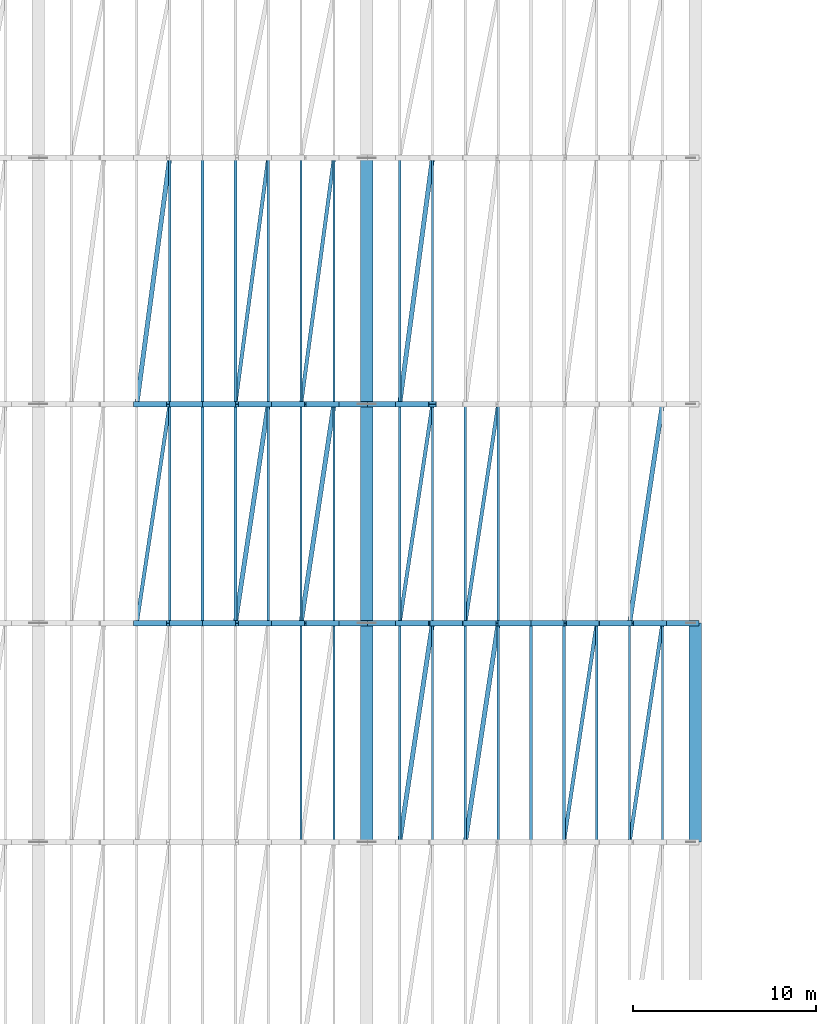
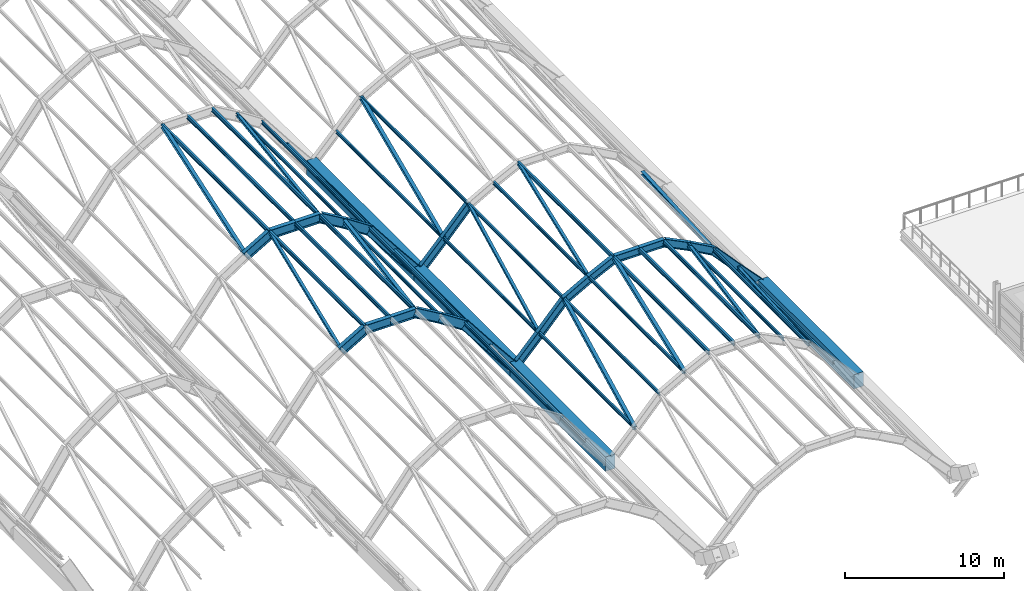
# One storey, part 16 of 86: 43 members, 30 beams.
"""IFC4 building model written with IfcOpenShell, lengths in metres."""

from ifc_helpers import new_model, si_unit, direction, frame, origin, origin_2d, place, context, subcontext, project, spatial, rectangle, i_section, extrude, material, material_profile, profile_set, type_object, element, save


model = new_model("IFC4")

# Units and contexts
model_context = context("Model", 3, precision=1e-05, world=origin(), true_north=direction((0.0, 1.0)))
body_context = subcontext(model_context, "Body", "Model", "MODEL_VIEW")
ifc_project = project(units=[si_unit("LENGTHUNIT", "METRE"), si_unit("AREAUNIT", "SQUARE_METRE"), si_unit("VOLUMEUNIT", "CUBIC_METRE"), si_unit("PLANEANGLEUNIT", "RADIAN"), si_unit("MASSUNIT", "GRAM", prefix="KILO")], contexts=[model_context])

# Site, building, storey
site_placement = place(None, origin())
site = spatial("IfcSite", under=ifc_project, at=site_placement, CompositionType="ELEMENT")
building_placement = place(site_placement, origin())
building = spatial("IfcBuilding", under=site, at=building_placement, Name="Chuanluo Vaults Station", CompositionType="ELEMENT")
storey_placement = place(building_placement, frame((0.0, 0.0, 14.39990234375)))
storey = spatial("IfcBuildingStorey", under=building, at=storey_placement, Name="L03", CompositionType="ELEMENT", Elevation=14.39990234375)

# Beams
ifc_material_1 = material(Name="Concrete C50", Category="concrete")
ifc_material_profile_1 = material_profile(ifc_material_1, rectangle(XDim=0.699951171875, YDim=1.10009765625, at=origin_2d()))
ifc_profile_set_1 = profile_set([ifc_material_profile_1], Name="Concrete C50")
beam_type_1 = type_object("IfcBeamType", Name="BM-VAL-RC", PredefinedType="USERDEFINED", material=ifc_profile_set_1)
for number, where, z_axis, x_axis, name in (
    (1, (108.0, 30.0, -0.7998046875), (0.0, 1.0, 0.0), (-1.0, 0.0, 0.0), "Vault springing valley beam X108-2"),
    (2, (108.0, 42.0, -0.7998046875), (0.0, 1.0, 0.0), (-1.0, 0.0, 0.0), "Vault springing valley beam X108-3"),
):
    element("IfcBeam", number, at=place(storey_placement, frame(where, z_axis=z_axis, x_axis=x_axis)), inside=storey, type_object=beam_type_1, Name=name, ObjectType="GIRDER", PredefinedType="USERDEFINED", context=body_context, shape_type="SweptSolid", body=[
        extrude(rectangle(XDim=0.699951171875, YDim=1.10009765625, at=origin_2d()), origin(), (0.0, 0.0, 1.0), 12.0),
    ])
beam_1_placement = place(storey_placement, frame((108.0, 54.0, -0.7998046875), z_axis=(0.0, 1.0, 0.0), x_axis=(-1.0, 0.0, 0.0)))
element("IfcBeam", 3, at=beam_1_placement, inside=storey, type_object=beam_type_1, Name="Vault springing valley beam X108-4", ObjectType="GIRDER", PredefinedType="USERDEFINED", context=body_context, shape_type="SweptSolid", body=[
    extrude(rectangle(XDim=0.699951171875, YDim=1.10009765625, at=origin_2d()), origin(), (0.0, 0.0, 1.0), 13.5),
])
beam_2_placement = place(storey_placement, frame((126.0, 30.0, -0.7998046875), z_axis=(0.0, 1.0, 0.0), x_axis=(-1.0, 0.0, 0.0)))
element("IfcBeam", 4, at=beam_2_placement, inside=storey, type_object=beam_type_1, Name="Vault springing valley beam X126-2", ObjectType="GIRDER", PredefinedType="USERDEFINED", context=body_context, shape_type="SweptSolid", body=[
    extrude(rectangle(XDim=0.699951171875, YDim=1.10009765625, at=origin_2d()), origin(), (0.0, 0.0, 1.0), 12.0),
])
ifc_material_2 = material(Name="Steel Q355C", Category="steel")
ifc_material_profile_2 = material_profile(ifc_material_2, i_section(OverallWidth=0.300048828125, OverallDepth=0.587890625, WebThickness=0.011962890625, FlangeThickness=0.02001953125, FilletRadius=0.02392578125, at=origin_2d()))
ifc_profile_set_2 = profile_set([ifc_material_profile_2], Name="Steel Q355C")
beam_type_2 = type_object("IfcBeamType", Name="BM-VLT-600", PredefinedType="USERDEFINED", material=ifc_profile_set_2)
beam_3_placement = place(storey_placement, frame((108.0, 42.0, -0.743896484375), z_axis=(0.684521510403, 0.0, 0.728992662374), x_axis=(0.0, 1.0, 0.0)))
element("IfcBeam", 5, at=beam_3_placement, inside=storey, type_object=beam_type_2, Name="Vault V7 arch rib 3 chord 1", ObjectType="GIRDER", PredefinedType="USERDEFINED", context=body_context, shape_type="SweptSolid", body=[
    extrude(i_section(OverallWidth=0.300048828125, OverallDepth=0.587890625, WebThickness=0.011962890625, FlangeThickness=0.02001953125, FilletRadius=0.02392578125, at=origin_2d()), origin(), (0.0, 0.0, 1.0), 2.629638671875),
])
beam_4_placement = place(storey_placement, frame((109.800048828125, 42.0, 1.173095703125), z_axis=(0.674369120381, 0.0, 0.738394399679), x_axis=(0.0, 1.0, 0.0)))
element("IfcBeam", 6, at=beam_4_placement, inside=storey, type_object=beam_type_2, Name="Vault V7 arch rib 3 chord 2", ObjectType="GIRDER", PredefinedType="USERDEFINED", context=body_context, shape_type="SweptSolid", body=[
    extrude(i_section(OverallWidth=0.300048828125, OverallDepth=0.587890625, WebThickness=0.011962890625, FlangeThickness=0.02001953125, FilletRadius=0.02392578125, at=origin_2d()), origin(), (0.0, 0.0, 1.0), 2.669189453125),
])
beam_5_placement = place(storey_placement, frame((111.60009765625, 42.0, 3.14404296875), z_axis=(0.873681685546, 0.0, 0.486498008569), x_axis=(0.0, 1.0, 0.0)))
element("IfcBeam", 7, at=beam_5_placement, inside=storey, type_object=beam_type_2, Name="Vault V7 arch rib 3 chord 3", ObjectType="GIRDER", PredefinedType="USERDEFINED", context=body_context, shape_type="SweptSolid", body=[
    extrude(i_section(OverallWidth=0.300048828125, OverallDepth=0.587890625, WebThickness=0.011962890625, FlangeThickness=0.02001953125, FilletRadius=0.02392578125, at=origin_2d()), origin(), (0.0, 0.0, 1.0), 2.06005859375),
])
beam_6_placement = place(storey_placement, frame((113.39990234375, 42.0, 4.146240234375), z_axis=(0.896436371213, 0.0, 0.443172463457), x_axis=(0.0, 1.0, 0.0)))
element("IfcBeam", 8, at=beam_6_placement, inside=storey, type_object=beam_type_2, Name="Vault V7 arch rib 3 chord 4", ObjectType="GIRDER", PredefinedType="USERDEFINED", context=body_context, shape_type="SweptSolid", body=[
    extrude(i_section(OverallWidth=0.300048828125, OverallDepth=0.587890625, WebThickness=0.011962890625, FlangeThickness=0.02001953125, FilletRadius=0.02392578125, at=origin_2d()), origin(), (0.0, 0.0, 1.0), 2.008056640625),
])
for number, where, z_axis, x_axis, name in (
    (9, (115.199951171875, 42.0, 5.0361328125), (1.0, 0.0, 0.0), (0.0, 1.0, 0.0), "Vault V7 arch rib 3 chord 5"),
    (10, (117.0, 42.0, 5.0361328125), (1.0, 0.0, 0.0), (0.0, 1.0, 0.0), "Vault V7 arch rib 3 chord 6"),
):
    element("IfcBeam", number, at=place(storey_placement, frame(where, z_axis=z_axis, x_axis=x_axis)), inside=storey, type_object=beam_type_2, Name=name, ObjectType="GIRDER", PredefinedType="USERDEFINED", context=body_context, shape_type="SweptSolid", body=[
        extrude(i_section(OverallWidth=0.300048828125, OverallDepth=0.587890625, WebThickness=0.011962890625, FlangeThickness=0.02001953125, FilletRadius=0.02392578125, at=origin_2d()), origin(), (0.0, 0.0, 1.0), 1.800048828125),
    ])
beam_7_placement = place(storey_placement, frame((118.800048828125, 42.0, 5.0361328125), z_axis=(0.896436371213, 0.0, -0.443172463457), x_axis=(0.0, 1.0, 0.0)))
element("IfcBeam", 11, at=beam_7_placement, inside=storey, type_object=beam_type_2, Name="Vault V7 arch rib 3 chord 7", ObjectType="GIRDER", PredefinedType="USERDEFINED", context=body_context, shape_type="SweptSolid", body=[
    extrude(i_section(OverallWidth=0.300048828125, OverallDepth=0.587890625, WebThickness=0.011962890625, FlangeThickness=0.02001953125, FilletRadius=0.02392578125, at=origin_2d()), origin(), (0.0, 0.0, 1.0), 2.008056640625),
])
beam_8_placement = place(storey_placement, frame((120.60009765625, 42.0, 4.146240234375), z_axis=(0.873681685546, 0.0, -0.486498008569), x_axis=(0.0, 1.0, 0.0)))
element("IfcBeam", 12, at=beam_8_placement, inside=storey, type_object=beam_type_2, Name="Vault V7 arch rib 3 chord 8", ObjectType="GIRDER", PredefinedType="USERDEFINED", context=body_context, shape_type="SweptSolid", body=[
    extrude(i_section(OverallWidth=0.300048828125, OverallDepth=0.587890625, WebThickness=0.011962890625, FlangeThickness=0.02001953125, FilletRadius=0.02392578125, at=origin_2d()), origin(), (0.0, 0.0, 1.0), 2.06005859375),
])
beam_9_placement = place(storey_placement, frame((122.39990234375, 42.0, 3.14404296875), z_axis=(0.674369120381, 0.0, -0.738394399679), x_axis=(0.0, 1.0, 0.0)))
element("IfcBeam", 13, at=beam_9_placement, inside=storey, type_object=beam_type_2, Name="Vault V7 arch rib 3 chord 9", ObjectType="GIRDER", PredefinedType="USERDEFINED", context=body_context, shape_type="SweptSolid", body=[
    extrude(i_section(OverallWidth=0.300048828125, OverallDepth=0.587890625, WebThickness=0.011962890625, FlangeThickness=0.02001953125, FilletRadius=0.02392578125, at=origin_2d()), origin(), (0.0, 0.0, 1.0), 2.669189453125),
])
for number, where, z_axis, x_axis, name in (
    (14, (124.199951171875, 42.0, 1.173095703125), (0.684521510403, 0.0, -0.728992662374), (0.0, 1.0, 0.0), "Vault V7 arch rib 3 chord 10"),
    (15, (108.0, 54.0, -0.743896484375), (0.684521510403, 0.0, 0.728992662374), (0.0, 1.0, 0.0), "Vault V7 arch rib 4 chord 1"),
):
    element("IfcBeam", number, at=place(storey_placement, frame(where, z_axis=z_axis, x_axis=x_axis)), inside=storey, type_object=beam_type_2, Name=name, ObjectType="GIRDER", PredefinedType="USERDEFINED", context=body_context, shape_type="SweptSolid", body=[
        extrude(i_section(OverallWidth=0.300048828125, OverallDepth=0.587890625, WebThickness=0.011962890625, FlangeThickness=0.02001953125, FilletRadius=0.02392578125, at=origin_2d()), origin(), (0.0, 0.0, 1.0), 2.629638671875),
    ])
beam_10_placement = place(storey_placement, frame((109.800048828125, 54.0, 1.173095703125), z_axis=(0.674369120381, 0.0, 0.738394399679), x_axis=(0.0, 1.0, 0.0)))
element("IfcBeam", 16, at=beam_10_placement, inside=storey, type_object=beam_type_2, Name="Vault V7 arch rib 4 chord 2", ObjectType="GIRDER", PredefinedType="USERDEFINED", context=body_context, shape_type="SweptSolid", body=[
    extrude(i_section(OverallWidth=0.300048828125, OverallDepth=0.587890625, WebThickness=0.011962890625, FlangeThickness=0.02001953125, FilletRadius=0.02392578125, at=origin_2d()), origin(), (0.0, 0.0, 1.0), 2.669189453125),
])
ifc_material_3 = material(Name="Steel Q355C", Category="steel")
ifc_material_profile_3 = material_profile(ifc_material_3, i_section(OverallWidth=0.300048828125, OverallDepth=0.699951171875, WebThickness=0.012939453125, FlangeThickness=0.02392578125, FilletRadius=0.02392578125, at=origin_2d()))
ifc_profile_set_3 = profile_set([ifc_material_profile_3], Name="Steel Q355C")
beam_type_3 = type_object("IfcBeamType", Name="BM-VLT-700", PredefinedType="USERDEFINED", material=ifc_profile_set_3)
beam_11_placement = place(storey_placement, frame((95.39990234375, 42.0, 4.92626953125), z_axis=(0.863009490662, 0.0, 0.505187706727), x_axis=(0.0, 1.0, 0.0)))
element("IfcBeam", 17, at=beam_11_placement, inside=storey, type_object=beam_type_3, Name="Vault V6 arch rib 3 chord 4", ObjectType="GIRDER", PredefinedType="USERDEFINED", context=body_context, shape_type="SweptSolid", body=[
    extrude(i_section(OverallWidth=0.300048828125, OverallDepth=0.699951171875, WebThickness=0.012939453125, FlangeThickness=0.02392578125, FilletRadius=0.02392578125, at=origin_2d()), origin(), (0.0, 0.0, 1.0), 2.085693359375),
])
for number, where, z_axis, x_axis, name in (
    (18, (97.199951171875, 42.0, 5.97998046875), (1.0, 0.0, 0.0), (0.0, 1.0, 0.0), "Vault V6 arch rib 3 chord 5"),
    (19, (99.0, 42.0, 5.97998046875), (1.0, 0.0, 0.0), (0.0, 1.0, 0.0), "Vault V6 arch rib 3 chord 6"),
):
    element("IfcBeam", number, at=place(storey_placement, frame(where, z_axis=z_axis, x_axis=x_axis)), inside=storey, type_object=beam_type_3, Name=name, ObjectType="GIRDER", PredefinedType="USERDEFINED", context=body_context, shape_type="SweptSolid", body=[
        extrude(i_section(OverallWidth=0.300048828125, OverallDepth=0.699951171875, WebThickness=0.012939453125, FlangeThickness=0.02392578125, FilletRadius=0.02392578125, at=origin_2d()), origin(), (0.0, 0.0, 1.0), 1.800048828125),
    ])
beam_12_placement = place(storey_placement, frame((100.800048828125, 42.0, 5.97998046875), z_axis=(0.863009490662, 0.0, -0.505187706727), x_axis=(0.0, 1.0, 0.0)))
element("IfcBeam", 20, at=beam_12_placement, inside=storey, type_object=beam_type_3, Name="Vault V6 arch rib 3 chord 7", ObjectType="GIRDER", PredefinedType="USERDEFINED", context=body_context, shape_type="SweptSolid", body=[
    extrude(i_section(OverallWidth=0.300048828125, OverallDepth=0.699951171875, WebThickness=0.012939453125, FlangeThickness=0.02392578125, FilletRadius=0.02392578125, at=origin_2d()), origin(), (0.0, 0.0, 1.0), 2.085693359375),
])
beam_13_placement = place(storey_placement, frame((102.60009765625, 42.0, 4.92626953125), z_axis=(0.836145448105, 0.0, -0.54850778446), x_axis=(0.0, 1.0, 0.0)))
element("IfcBeam", 21, at=beam_13_placement, inside=storey, type_object=beam_type_3, Name="Vault V6 arch rib 3 chord 8", ObjectType="GIRDER", PredefinedType="USERDEFINED", context=body_context, shape_type="SweptSolid", body=[
    extrude(i_section(OverallWidth=0.300048828125, OverallDepth=0.699951171875, WebThickness=0.012939453125, FlangeThickness=0.02392578125, FilletRadius=0.02392578125, at=origin_2d()), origin(), (0.0, 0.0, 1.0), 2.152587890625),
])
beam_14_placement = place(storey_placement, frame((104.39990234375, 42.0, 3.74560546875), z_axis=(0.613681275736, 0.0, -0.789553856182), x_axis=(0.0, 1.0, 0.0)))
element("IfcBeam", 22, at=beam_14_placement, inside=storey, type_object=beam_type_3, Name="Vault V6 arch rib 3 chord 9", ObjectType="GIRDER", PredefinedType="USERDEFINED", context=body_context, shape_type="SweptSolid", body=[
    extrude(i_section(OverallWidth=0.300048828125, OverallDepth=0.699951171875, WebThickness=0.012939453125, FlangeThickness=0.02392578125, FilletRadius=0.02392578125, at=origin_2d()), origin(), (0.0, 0.0, 1.0), 2.93310546875),
])
beam_15_placement = place(storey_placement, frame((106.199951171875, 42.0, 1.4296875), z_axis=(0.628190338877, 0.0, -0.778059700885), x_axis=(0.0, 1.0, 0.0)))
element("IfcBeam", 23, at=beam_15_placement, inside=storey, type_object=beam_type_3, Name="Vault V6 arch rib 3 chord 10", ObjectType="GIRDER", PredefinedType="USERDEFINED", context=body_context, shape_type="SweptSolid", body=[
    extrude(i_section(OverallWidth=0.300048828125, OverallDepth=0.699951171875, WebThickness=0.012939453125, FlangeThickness=0.02392578125, FilletRadius=0.02392578125, at=origin_2d()), origin(), (0.0, 0.0, 1.0), 2.865478515625),
])
beam_16_placement = place(storey_placement, frame((95.39990234375, 54.0, 4.92626953125), z_axis=(0.863009490662, 0.0, 0.505187706727), x_axis=(0.0, 1.0, 0.0)))
element("IfcBeam", 24, at=beam_16_placement, inside=storey, type_object=beam_type_3, Name="Vault V6 arch rib 4 chord 4", ObjectType="GIRDER", PredefinedType="USERDEFINED", context=body_context, shape_type="SweptSolid", body=[
    extrude(i_section(OverallWidth=0.300048828125, OverallDepth=0.699951171875, WebThickness=0.012939453125, FlangeThickness=0.02392578125, FilletRadius=0.02392578125, at=origin_2d()), origin(), (0.0, 0.0, 1.0), 2.085693359375),
])
for number, where, z_axis, x_axis, name in (
    (25, (97.199951171875, 54.0, 5.97998046875), (1.0, 0.0, 0.0), (0.0, 1.0, 0.0), "Vault V6 arch rib 4 chord 5"),
    (26, (99.0, 54.0, 5.97998046875), (1.0, 0.0, 0.0), (0.0, 1.0, 0.0), "Vault V6 arch rib 4 chord 6"),
):
    element("IfcBeam", number, at=place(storey_placement, frame(where, z_axis=z_axis, x_axis=x_axis)), inside=storey, type_object=beam_type_3, Name=name, ObjectType="GIRDER", PredefinedType="USERDEFINED", context=body_context, shape_type="SweptSolid", body=[
        extrude(i_section(OverallWidth=0.300048828125, OverallDepth=0.699951171875, WebThickness=0.012939453125, FlangeThickness=0.02392578125, FilletRadius=0.02392578125, at=origin_2d()), origin(), (0.0, 0.0, 1.0), 1.800048828125),
    ])
beam_17_placement = place(storey_placement, frame((100.800048828125, 54.0, 5.97998046875), z_axis=(0.863009490662, 0.0, -0.505187706727), x_axis=(0.0, 1.0, 0.0)))
element("IfcBeam", 27, at=beam_17_placement, inside=storey, type_object=beam_type_3, Name="Vault V6 arch rib 4 chord 7", ObjectType="GIRDER", PredefinedType="USERDEFINED", context=body_context, shape_type="SweptSolid", body=[
    extrude(i_section(OverallWidth=0.300048828125, OverallDepth=0.699951171875, WebThickness=0.012939453125, FlangeThickness=0.02392578125, FilletRadius=0.02392578125, at=origin_2d()), origin(), (0.0, 0.0, 1.0), 2.085693359375),
])
beam_18_placement = place(storey_placement, frame((102.60009765625, 54.0, 4.92626953125), z_axis=(0.836145448105, 0.0, -0.54850778446), x_axis=(0.0, 1.0, 0.0)))
element("IfcBeam", 28, at=beam_18_placement, inside=storey, type_object=beam_type_3, Name="Vault V6 arch rib 4 chord 8", ObjectType="GIRDER", PredefinedType="USERDEFINED", context=body_context, shape_type="SweptSolid", body=[
    extrude(i_section(OverallWidth=0.300048828125, OverallDepth=0.699951171875, WebThickness=0.012939453125, FlangeThickness=0.02392578125, FilletRadius=0.02392578125, at=origin_2d()), origin(), (0.0, 0.0, 1.0), 2.152587890625),
])
beam_19_placement = place(storey_placement, frame((104.39990234375, 54.0, 3.74560546875), z_axis=(0.613681275736, 0.0, -0.789553856182), x_axis=(0.0, 1.0, 0.0)))
element("IfcBeam", 29, at=beam_19_placement, inside=storey, type_object=beam_type_3, Name="Vault V6 arch rib 4 chord 9", ObjectType="GIRDER", PredefinedType="USERDEFINED", context=body_context, shape_type="SweptSolid", body=[
    extrude(i_section(OverallWidth=0.300048828125, OverallDepth=0.699951171875, WebThickness=0.012939453125, FlangeThickness=0.02392578125, FilletRadius=0.02392578125, at=origin_2d()), origin(), (0.0, 0.0, 1.0), 2.93310546875),
])
beam_20_placement = place(storey_placement, frame((106.199951171875, 54.0, 1.4296875), z_axis=(0.628190338877, 0.0, -0.778059700885), x_axis=(0.0, 1.0, 0.0)))
element("IfcBeam", 30, at=beam_20_placement, inside=storey, type_object=beam_type_3, Name="Vault V6 arch rib 4 chord 10", ObjectType="GIRDER", PredefinedType="USERDEFINED", context=body_context, shape_type="SweptSolid", body=[
    extrude(i_section(OverallWidth=0.300048828125, OverallDepth=0.699951171875, WebThickness=0.012939453125, FlangeThickness=0.02392578125, FilletRadius=0.02392578125, at=origin_2d()), origin(), (0.0, 0.0, 1.0), 2.865478515625),
])

# Members
ifc_material_4 = material(Name="Steel Q355C", Category="steel")
ifc_material_profile_4 = material_profile(ifc_material_4, i_section(OverallWidth=0.125, OverallDepth=0.25, WebThickness=0.006103515625, FlangeThickness=0.009033203125, FilletRadius=0.011962890625, at=origin_2d()))
ifc_profile_set_4 = profile_set([ifc_material_profile_4], Name="Steel Q355C")
member_type_1 = type_object("IfcMemberType", Name="MEM-PUR-250", PredefinedType="PURLIN", material=ifc_profile_set_4)
for number, where, z_axis, x_axis, name in (
    (31, (104.39990234375, 30.0, 3.849853515625), (0.0, 1.0, 0.0), (-1.0, 0.0, 0.0), "Vault V6 purlin 2.8"),
    (32, (106.199951171875, 30.0, 1.5126953125), (0.0, 1.0, 0.0), (-1.0, 0.0, 0.0), "Vault V6 purlin 2.9"),
    (33, (102.60009765625, 42.0, 5.068115234375), (0.0, 1.0, 0.0), (-1.0, 0.0, 0.0), "Vault V6 purlin 3.7"),
    (34, (104.39990234375, 42.0, 3.849853515625), (0.0, 1.0, 0.0), (-1.0, 0.0, 0.0), "Vault V6 purlin 3.8"),
    (35, (106.199951171875, 42.0, 1.5126953125), (0.0, 1.0, 0.0), (-1.0, 0.0, 0.0), "Vault V6 purlin 3.9"),
):
    element("IfcMember", number, at=place(storey_placement, frame(where, z_axis=z_axis, x_axis=x_axis)), inside=storey, type_object=member_type_1, Name=name, PredefinedType="PURLIN", context=body_context, shape_type="SweptSolid", body=[
        extrude(i_section(OverallWidth=0.125, OverallDepth=0.25, WebThickness=0.006103515625, FlangeThickness=0.009033203125, FilletRadius=0.011962890625, at=origin_2d()), origin(), (0.0, 0.0, 1.0), 12.0),
    ])
for number, where, z_axis, x_axis, name in (
    (36, (102.60009765625, 54.0, 5.068115234375), (0.0, 1.0, 0.0), (-1.0, 0.0, 0.0), "Vault V6 purlin 4.7"),
    (37, (104.39990234375, 54.0, 3.849853515625), (0.0, 1.0, 0.0), (-1.0, 0.0, 0.0), "Vault V6 purlin 4.8"),
    (38, (106.199951171875, 54.0, 1.5126953125), (0.0, 1.0, 0.0), (-1.0, 0.0, 0.0), "Vault V6 purlin 4.9"),
):
    element("IfcMember", number, at=place(storey_placement, frame(where, z_axis=z_axis, x_axis=x_axis)), inside=storey, type_object=member_type_1, Name=name, PredefinedType="PURLIN", context=body_context, shape_type="SweptSolid", body=[
        extrude(i_section(OverallWidth=0.125, OverallDepth=0.25, WebThickness=0.006103515625, FlangeThickness=0.009033203125, FilletRadius=0.011962890625, at=origin_2d()), origin(), (0.0, 0.0, 1.0), 13.5),
    ])
for number, where, z_axis, x_axis, name in (
    (39, (109.800048828125, 30.0, 1.213134765625), (0.0, 1.0, 0.0), (-1.0, 0.0, 0.0), "Vault V7 purlin 2.1"),
    (40, (111.60009765625, 30.0, 3.206787109375), (0.0, 1.0, 0.0), (-1.0, 0.0, 0.0), "Vault V7 purlin 2.2"),
    (41, (113.39990234375, 30.0, 4.23779296875), (0.0, 1.0, 0.0), (-1.0, 0.0, 0.0), "Vault V7 purlin 2.3"),
    (42, (120.60009765625, 30.0, 4.23779296875), (0.0, 1.0, 0.0), (-1.0, 0.0, 0.0), "Vault V7 purlin 2.7"),
    (43, (122.39990234375, 30.0, 3.206787109375), (0.0, 1.0, 0.0), (-1.0, 0.0, 0.0), "Vault V7 purlin 2.8"),
    (44, (124.199951171875, 30.0, 1.213134765625), (0.0, 1.0, 0.0), (-1.0, 0.0, 0.0), "Vault V7 purlin 2.9"),
    (45, (109.800048828125, 42.0, 1.213134765625), (0.0, 1.0, 0.0), (-1.0, 0.0, 0.0), "Vault V7 purlin 3.1"),
    (46, (111.60009765625, 42.0, 3.206787109375), (0.0, 1.0, 0.0), (-1.0, 0.0, 0.0), "Vault V7 purlin 3.2"),
    (47, (113.39990234375, 42.0, 4.23779296875), (0.0, 1.0, 0.0), (-1.0, 0.0, 0.0), "Vault V7 purlin 3.3"),
):
    element("IfcMember", number, at=place(storey_placement, frame(where, z_axis=z_axis, x_axis=x_axis)), inside=storey, type_object=member_type_1, Name=name, PredefinedType="PURLIN", context=body_context, shape_type="SweptSolid", body=[
        extrude(i_section(OverallWidth=0.125, OverallDepth=0.25, WebThickness=0.006103515625, FlangeThickness=0.009033203125, FilletRadius=0.011962890625, at=origin_2d()), origin(), (0.0, 0.0, 1.0), 12.0),
    ])
for number, where, z_axis, x_axis, name in (
    (48, (109.800048828125, 54.0, 1.213134765625), (0.0, 1.0, 0.0), (-1.0, 0.0, 0.0), "Vault V7 purlin 4.1"),
    (49, (111.60009765625, 54.0, 3.206787109375), (0.0, 1.0, 0.0), (-1.0, 0.0, 0.0), "Vault V7 purlin 4.2"),
):
    element("IfcMember", number, at=place(storey_placement, frame(where, z_axis=z_axis, x_axis=x_axis)), inside=storey, type_object=member_type_1, Name=name, PredefinedType="PURLIN", context=body_context, shape_type="SweptSolid", body=[
        extrude(i_section(OverallWidth=0.125, OverallDepth=0.25, WebThickness=0.006103515625, FlangeThickness=0.009033203125, FilletRadius=0.011962890625, at=origin_2d()), origin(), (0.0, 0.0, 1.0), 13.5),
    ])
ifc_material_5 = material(Name="Steel Q355C", Category="steel")
ifc_material_profile_5 = material_profile(ifc_material_5, i_section(OverallWidth=0.14990234375, OverallDepth=0.300048828125, WebThickness=0.006591796875, FlangeThickness=0.009033203125, FilletRadius=0.012939453125, at=origin_2d()))
ifc_profile_set_5 = profile_set([ifc_material_profile_5], Name="Steel Q355C")
member_type_2 = type_object("IfcMemberType", Name="MEM-PUR-300", PredefinedType="PURLIN", material=ifc_profile_set_5)
for number, where, z_axis, x_axis, name in (
    (50, (97.199951171875, 42.0, 6.085693359375), (0.0, 1.0, 0.0), (-1.0, 0.0, 0.0), "Vault V6 purlin 3.4"),
    (51, (99.0, 42.0, 6.172119140625), (0.0, 1.0, 0.0), (-1.0, 0.0, 0.0), "Vault V6 purlin 3.5"),
    (52, (100.800048828125, 42.0, 6.085693359375), (0.0, 1.0, 0.0), (-1.0, 0.0, 0.0), "Vault V6 purlin 3.6"),
):
    element("IfcMember", number, at=place(storey_placement, frame(where, z_axis=z_axis, x_axis=x_axis)), inside=storey, type_object=member_type_2, Name=name, PredefinedType="PURLIN", context=body_context, shape_type="SweptSolid", body=[
        extrude(i_section(OverallWidth=0.14990234375, OverallDepth=0.300048828125, WebThickness=0.006591796875, FlangeThickness=0.009033203125, FilletRadius=0.012939453125, at=origin_2d()), origin(), (0.0, 0.0, 1.0), 12.0),
    ])
for number, where, z_axis, x_axis, name in (
    (53, (97.199951171875, 54.0, 6.085693359375), (0.0, 1.0, 0.0), (-1.0, 0.0, 0.0), "Vault V6 purlin 4.4"),
    (54, (99.0, 54.0, 6.172119140625), (0.0, 1.0, 0.0), (-1.0, 0.0, 0.0), "Vault V6 purlin 4.5"),
    (55, (100.800048828125, 54.0, 6.085693359375), (0.0, 1.0, 0.0), (-1.0, 0.0, 0.0), "Vault V6 purlin 4.6"),
):
    element("IfcMember", number, at=place(storey_placement, frame(where, z_axis=z_axis, x_axis=x_axis)), inside=storey, type_object=member_type_2, Name=name, PredefinedType="PURLIN", context=body_context, shape_type="SweptSolid", body=[
        extrude(i_section(OverallWidth=0.14990234375, OverallDepth=0.300048828125, WebThickness=0.006591796875, FlangeThickness=0.009033203125, FilletRadius=0.012939453125, at=origin_2d()), origin(), (0.0, 0.0, 1.0), 13.5),
    ])
for number, where, z_axis, x_axis, name in (
    (56, (115.199951171875, 30.0, 5.102294921875), (0.0, 1.0, 0.0), (-1.0, 0.0, 0.0), "Vault V7 purlin 2.4"),
    (57, (117.0, 30.0, 5.172119140625), (0.0, 1.0, 0.0), (-1.0, 0.0, 0.0), "Vault V7 purlin 2.5"),
    (58, (118.800048828125, 30.0, 5.102294921875), (0.0, 1.0, 0.0), (-1.0, 0.0, 0.0), "Vault V7 purlin 2.6"),
    (59, (115.199951171875, 42.0, 5.102294921875), (0.0, 1.0, 0.0), (-1.0, 0.0, 0.0), "Vault V7 purlin 3.4"),
):
    element("IfcMember", number, at=place(storey_placement, frame(where, z_axis=z_axis, x_axis=x_axis)), inside=storey, type_object=member_type_2, Name=name, PredefinedType="PURLIN", context=body_context, shape_type="SweptSolid", body=[
        extrude(i_section(OverallWidth=0.14990234375, OverallDepth=0.300048828125, WebThickness=0.006591796875, FlangeThickness=0.009033203125, FilletRadius=0.012939453125, at=origin_2d()), origin(), (0.0, 0.0, 1.0), 12.0),
    ])
ifc_material_6 = material(Name="Steel Q355C", Category="steel")
ifc_material_profile_6 = material_profile(ifc_material_6, i_section(OverallWidth=0.199951171875, OverallDepth=0.199951171875, WebThickness=0.008056640625, FlangeThickness=0.011962890625, FilletRadius=0.012939453125, at=origin_2d()))
ifc_profile_set_6 = profile_set([ifc_material_profile_6], Name="Steel Q355C")
member_type_3 = type_object("IfcMemberType", Name="MEM-VBR-200", PredefinedType="BRACE", material=ifc_profile_set_6)
member_1_placement = place(storey_placement, frame((95.39990234375, 42.0, 5.068115234375), z_axis=(0.147825508235, 0.985476655471, 0.083566623942), x_axis=(-0.988935762544, 0.148344388372, 0.0)))
element("IfcMember", 60, at=member_1_placement, inside=storey, type_object=member_type_3, Name="Vault V6 space-frame diagonal 3.3", PredefinedType="BRACE", context=body_context, shape_type="SweptSolid", body=[
    extrude(i_section(OverallWidth=0.199951171875, OverallDepth=0.199951171875, WebThickness=0.008056640625, FlangeThickness=0.011962890625, FilletRadius=0.012939453125, at=origin_2d()), origin(), (0.0, 0.0, 1.0), 12.1767578125),
])
member_2_placement = place(storey_placement, frame((100.800048828125, 54.0, 6.085693359375), z_axis=(0.131799880151, 0.988472287106, -0.074507242706), x_axis=(-0.991227431004, 0.132167242636, 0.0)))
element("IfcMember", 61, at=member_2_placement, inside=storey, type_object=member_type_3, Name="Vault V6 space-frame diagonal 4.6", PredefinedType="BRACE", context=body_context, shape_type="SweptSolid", body=[
    extrude(i_section(OverallWidth=0.199951171875, OverallDepth=0.199951171875, WebThickness=0.008056640625, FlangeThickness=0.011962890625, FilletRadius=0.012939453125, at=origin_2d()), origin(), (0.0, 0.0, 1.0), 13.657470703125),
])
member_3_placement = place(storey_placement, frame((104.39990234375, 54.0, 3.849853515625), z_axis=(0.130263166055, 0.976947244025, -0.169131871511), x_axis=(-0.991227431004, 0.132167242636, 0.0)))
element("IfcMember", 62, at=member_3_placement, inside=storey, type_object=member_type_3, Name="Vault V6 space-frame diagonal 4.8", PredefinedType="BRACE", context=body_context, shape_type="SweptSolid", body=[
    extrude(i_section(OverallWidth=0.199951171875, OverallDepth=0.199951171875, WebThickness=0.008056640625, FlangeThickness=0.011962890625, FilletRadius=0.012939453125, at=origin_2d()), origin(), (0.0, 0.0, 1.0), 13.818603515625),
])
member_4_placement = place(storey_placement, frame((118.800048828125, 30.0, 5.102294921875), z_axis=(0.147969331357, 0.986435450271, -0.071064614449), x_axis=(-0.988935762544, 0.148344388372, 0.0)))
element("IfcMember", 63, at=member_4_placement, inside=storey, type_object=member_type_3, Name="Vault V7 space-frame diagonal 2.6", PredefinedType="BRACE", context=body_context, shape_type="SweptSolid", body=[
    extrude(i_section(OverallWidth=0.199951171875, OverallDepth=0.199951171875, WebThickness=0.008056640625, FlangeThickness=0.011962890625, FilletRadius=0.012939453125, at=origin_2d()), origin(), (0.0, 0.0, 1.0), 12.1650390625),
])
for number, where, z_axis, x_axis, name in (
    (64, (122.39990234375, 30.0, 3.206787109375), (0.146381805557, 0.975852232025, -0.162125840794), (-0.988935762544, 0.148344388372, 0.0), "Vault V7 space-frame diagonal 2.8"),
    (65, (109.800048828125, 42.0, 1.213134765625), (0.146381805557, 0.975852232025, 0.162125840794), (-0.988935762544, 0.148344388372, 0.0), "Vault V7 space-frame diagonal 3.1"),
):
    element("IfcMember", number, at=place(storey_placement, frame(where, z_axis=z_axis, x_axis=x_axis)), inside=storey, type_object=member_type_3, Name=name, PredefinedType="BRACE", context=body_context, shape_type="SweptSolid", body=[
        extrude(i_section(OverallWidth=0.199951171875, OverallDepth=0.199951171875, WebThickness=0.008056640625, FlangeThickness=0.011962890625, FilletRadius=0.012939453125, at=origin_2d()), origin(), (0.0, 0.0, 1.0), 12.296875),
    ])
member_5_placement = place(storey_placement, frame((113.39990234375, 42.0, 4.23779296875), z_axis=(0.147969331357, 0.986435450271, 0.071064614449), x_axis=(-0.988935762544, 0.148344388372, 0.0)))
element("IfcMember", 66, at=member_5_placement, inside=storey, type_object=member_type_3, Name="Vault V7 space-frame diagonal 3.3", PredefinedType="BRACE", context=body_context, shape_type="SweptSolid", body=[
    extrude(i_section(OverallWidth=0.199951171875, OverallDepth=0.199951171875, WebThickness=0.008056640625, FlangeThickness=0.011962890625, FilletRadius=0.012939453125, at=origin_2d()), origin(), (0.0, 0.0, 1.0), 12.1650390625),
])
ifc_material_7 = material(Name="Steel Q355C", Category="steel")
ifc_material_profile_7 = material_profile(ifc_material_7, i_section(OverallWidth=0.25, OverallDepth=0.25, WebThickness=0.009033203125, FlangeThickness=0.013916015625, FilletRadius=0.01611328125, at=origin_2d()))
ifc_profile_set_7 = profile_set([ifc_material_profile_7], Name="Steel Q355C")
member_type_4 = type_object("IfcMemberType", Name="MEM-VBR-250", PredefinedType="BRACE", material=ifc_profile_set_7)
member_6_placement = place(storey_placement, frame((100.800048828125, 42.0, 6.085693359375), z_axis=(0.147825508235, 0.985476655471, -0.083566623942), x_axis=(-0.988935762544, 0.148344388372, 0.0)))
element("IfcMember", 67, at=member_6_placement, inside=storey, type_object=member_type_4, Name="Vault V6 space-frame diagonal 3.6", PredefinedType="BRACE", context=body_context, shape_type="SweptSolid", body=[
    extrude(i_section(OverallWidth=0.25, OverallDepth=0.25, WebThickness=0.009033203125, FlangeThickness=0.013916015625, FilletRadius=0.01611328125, at=origin_2d()), origin(), (0.0, 0.0, 1.0), 12.1767578125),
])
member_7_placement = place(storey_placement, frame((104.39990234375, 42.0, 3.849853515625), z_axis=(0.145667019671, 0.971087122046, -0.189132019437), x_axis=(-0.988935762544, 0.148344388372, 0.0)))
element("IfcMember", 68, at=member_7_placement, inside=storey, type_object=member_type_4, Name="Vault V6 space-frame diagonal 3.8", PredefinedType="BRACE", context=body_context, shape_type="SweptSolid", body=[
    extrude(i_section(OverallWidth=0.25, OverallDepth=0.25, WebThickness=0.009033203125, FlangeThickness=0.013916015625, FilletRadius=0.01611328125, at=origin_2d()), origin(), (0.0, 0.0, 1.0), 12.357177734375),
])
member_8_placement = place(storey_placement, frame((95.39990234375, 54.0, 5.068115234375), z_axis=(0.131799880151, 0.988472287106, 0.074507242706), x_axis=(-0.991227431004, 0.132167242636, 0.0)))
element("IfcMember", 69, at=member_8_placement, inside=storey, type_object=member_type_4, Name="Vault V6 space-frame diagonal 4.3", PredefinedType="BRACE", context=body_context, shape_type="SweptSolid", body=[
    extrude(i_section(OverallWidth=0.25, OverallDepth=0.25, WebThickness=0.009033203125, FlangeThickness=0.013916015625, FilletRadius=0.01611328125, at=origin_2d()), origin(), (0.0, 0.0, 1.0), 13.657470703125),
])
member_9_placement = place(storey_placement, frame((109.800048828125, 30.0, 1.213134765625), z_axis=(0.146381805557, 0.975852232025, 0.162125840794), x_axis=(-0.988935762544, 0.148344388372, 0.0)))
element("IfcMember", 70, at=member_9_placement, inside=storey, type_object=member_type_4, Name="Vault V7 space-frame diagonal 2.1", PredefinedType="BRACE", context=body_context, shape_type="SweptSolid", body=[
    extrude(i_section(OverallWidth=0.25, OverallDepth=0.25, WebThickness=0.009033203125, FlangeThickness=0.013916015625, FilletRadius=0.01611328125, at=origin_2d()), origin(), (0.0, 0.0, 1.0), 12.296875),
])
member_10_placement = place(storey_placement, frame((113.39990234375, 30.0, 4.23779296875), z_axis=(0.147969331357, 0.986435450271, 0.071064614449), x_axis=(-0.988935762544, 0.148344388372, 0.0)))
element("IfcMember", 71, at=member_10_placement, inside=storey, type_object=member_type_4, Name="Vault V7 space-frame diagonal 2.3", PredefinedType="BRACE", context=body_context, shape_type="SweptSolid", body=[
    extrude(i_section(OverallWidth=0.25, OverallDepth=0.25, WebThickness=0.009033203125, FlangeThickness=0.013916015625, FilletRadius=0.01611328125, at=origin_2d()), origin(), (0.0, 0.0, 1.0), 12.1650390625),
])
member_11_placement = place(storey_placement, frame((122.39990234375, 42.0, 3.206787109375), z_axis=(0.146381805557, 0.975852232025, -0.162125840794), x_axis=(-0.988935762544, 0.148344388372, 0.0)))
element("IfcMember", 72, at=member_11_placement, inside=storey, type_object=member_type_4, Name="Vault V7 space-frame diagonal 3.8", PredefinedType="BRACE", context=body_context, shape_type="SweptSolid", body=[
    extrude(i_section(OverallWidth=0.25, OverallDepth=0.25, WebThickness=0.009033203125, FlangeThickness=0.013916015625, FilletRadius=0.01611328125, at=origin_2d()), origin(), (0.0, 0.0, 1.0), 12.296875),
])
member_12_placement = place(storey_placement, frame((109.800048828125, 54.0, 1.213134765625), z_axis=(0.130773572754, 0.980775190422, 0.144838870895), x_axis=(-0.991227431004, 0.132167242636, 0.0)))
element("IfcMember", 73, at=member_12_placement, inside=storey, type_object=member_type_4, Name="Vault V7 space-frame diagonal 4.1", PredefinedType="BRACE", context=body_context, shape_type="SweptSolid", body=[
    extrude(i_section(OverallWidth=0.25, OverallDepth=0.25, WebThickness=0.009033203125, FlangeThickness=0.013916015625, FilletRadius=0.01611328125, at=origin_2d()), origin(), (0.0, 0.0, 1.0), 13.7646484375),
])

save(model, "model.ifc")
